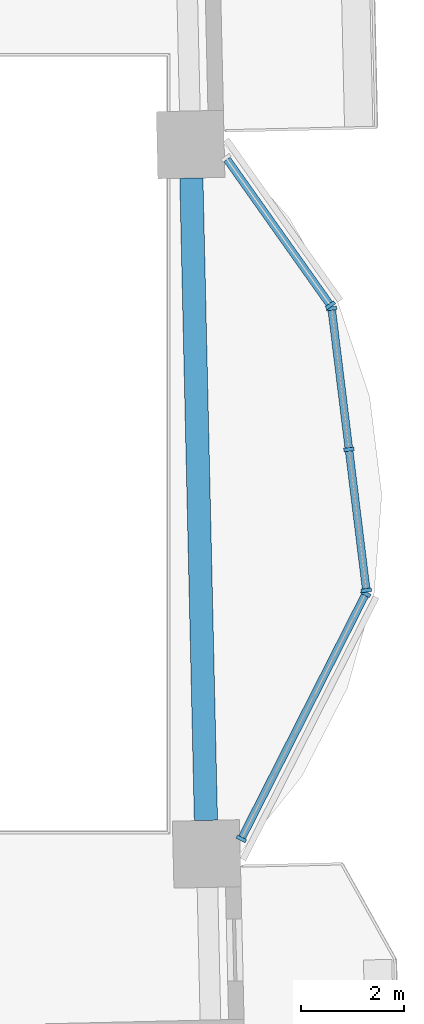
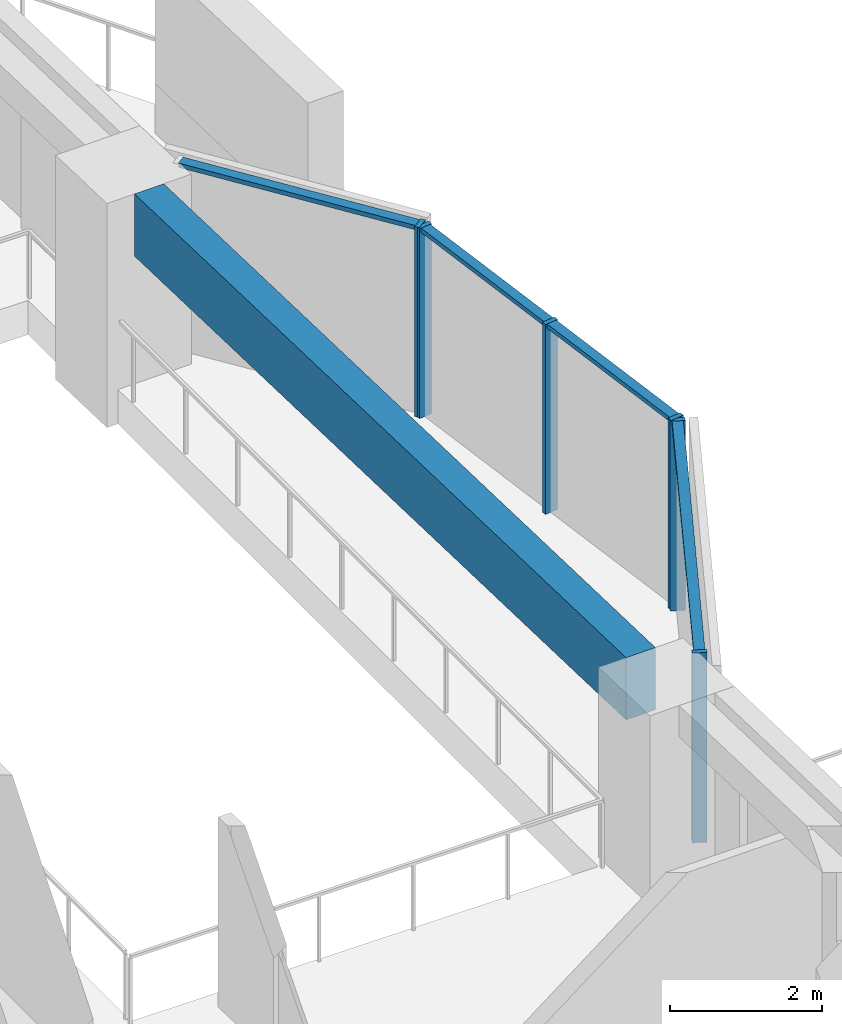
# One storey, part 2 of 16: 10 members, 1 beam, 3 elements without a shape of their own.
"""IFC4 building model written with IfcOpenShell, lengths in metres."""

from ifc_helpers import new_model, si_unit, direction, frame, origin, origin_2d, place, context, subcontext, project, spatial, rectangle, extrude, material, material_profile, profile_set, type_object, element, aggregate, save


model = new_model("IFC4")

# Units and contexts
model_context = context("Model", 3, precision=1e-05, world=origin(), true_north=direction((0.0, 1.0)))
body_context = subcontext(model_context, "Body", "Model", "MODEL_VIEW")
ifc_project = project(units=[si_unit("LENGTHUNIT", "METRE"), si_unit("AREAUNIT", "SQUARE_METRE"), si_unit("VOLUMEUNIT", "CUBIC_METRE"), si_unit("PLANEANGLEUNIT", "RADIAN"), si_unit("MASSUNIT", "GRAM", prefix="KILO")], contexts=[model_context])

# Site, building, storey
site_placement = place(None, origin())
site = spatial("IfcSite", under=ifc_project, at=site_placement, CompositionType="ELEMENT")
building_placement = place(site_placement, origin())
building = spatial("IfcBuilding", under=site, at=building_placement, Name="Mangrove Gate Tower", CompositionType="ELEMENT")
storey_placement = place(building_placement, frame((0.0, 0.0, 130.10009765625)))
storey = spatial("IfcBuildingStorey", under=building, at=storey_placement, Name="L32", CompositionType="ELEMENT", Elevation=130.10009765625)

# Curtain wall, members
ifc_material_1 = material(Name="Aluminium and glass curtain wall", Category="aluminium")
curtain_wall_type = type_object("IfcCurtainWallType", Name="Atrium garden-court glazing wall", PredefinedType="NOTDEFINED", material=ifc_material_1)
curtain_wall_1_placement = place(storey_placement, origin())
curtain_wall_1 = element("IfcCurtainWall", 1, at=curtain_wall_1_placement, inside=storey, type_object=curtain_wall_type, Name="Atrium garden-court glazing E1f1", PredefinedType="NOTDEFINED")
ifc_material_2 = material(Name="Aluminium alloy 6063-T6", Category="aluminium")
ifc_material_profile_1 = material_profile(ifc_material_2, rectangle(XDim=0.070068359375, YDim=0.199951171875, at=origin_2d()))
ifc_profile_set_1 = profile_set([ifc_material_profile_1], Name="Aluminium alloy 6063-T6")
member_type_1 = type_object("IfcMemberType", Name="Atrium garden-court glazing mullion 70x200", PredefinedType="MULLION", material=ifc_profile_set_1)
member_1_placement = place(storey_placement, frame((24.441162109375, -7.660400390625, 0.0), z_axis=(0.0, 0.0, 1.0), x_axis=(0.452614630938, 0.891706227331, 0.0)))
member_1 = element("IfcMember", 2, at=member_1_placement, type_object=member_type_1, Name="CWA mullion 1", PredefinedType="MULLION", context=body_context, shape_type="SweptSolid", body=[
    extrude(rectangle(XDim=0.070068359375, YDim=0.199951171875, at=origin_2d()), origin(), (0.0, 0.0, 1.0), 3.0498046875),
])
member_2_placement = place(storey_placement, frame((26.85302734375, -2.908935546875, 0.0), z_axis=(0.0, 0.0, 1.0), x_axis=(0.452614630938, 0.891706227331, 0.0)))
member_2 = element("IfcMember", 3, at=member_2_placement, type_object=member_type_1, Name="CWA mullion 2", PredefinedType="MULLION", context=body_context, shape_type="SweptSolid", body=[
    extrude(rectangle(XDim=0.070068359375, YDim=0.199951171875, at=origin_2d()), origin(), (0.0, 0.0, 1.0), 3.0498046875),
])

curtain_wall_2_placement = place(storey_placement, origin())
curtain_wall_2 = element("IfcCurtainWall", 4, at=curtain_wall_2_placement, inside=storey, type_object=curtain_wall_type, Name="Atrium garden-court glazing E1f2", PredefinedType="NOTDEFINED")
member_3_placement = place(storey_placement, frame((26.864501953125, -2.843017578125, 0.0), z_axis=(0.0, 0.0, 1.0), x_axis=(-0.122172285885, 0.992508908051, 0.0)))
member_3 = element("IfcMember", 5, at=member_3_placement, type_object=member_type_1, Name="CWA mullion 1", PredefinedType="MULLION", context=body_context, shape_type="SweptSolid", body=[
    extrude(rectangle(XDim=0.070068359375, YDim=0.199951171875, at=origin_2d()), origin(), (0.0, 0.0, 1.0), 3.0498046875),
])
member_4_placement = place(storey_placement, frame((26.5283203125, -0.112060546875, 0.0), z_axis=(0.0, 0.0, 1.0), x_axis=(-0.122172285885, 0.992508908051, 0.0)))
member_4 = element("IfcMember", 6, at=member_4_placement, type_object=member_type_1, Name="CWA mullion 2", PredefinedType="MULLION", context=body_context, shape_type="SweptSolid", body=[
    extrude(rectangle(XDim=0.070068359375, YDim=0.199951171875, at=origin_2d()), origin(), (0.0, 0.0, 1.0), 3.0498046875),
])
member_5_placement = place(storey_placement, frame((26.192138671875, 2.619140625, 0.0), z_axis=(0.0, 0.0, 1.0), x_axis=(-0.122172285885, 0.992508908051, 0.0)))
member_5 = element("IfcMember", 7, at=member_5_placement, type_object=member_type_1, Name="CWA mullion 3", PredefinedType="MULLION", context=body_context, shape_type="SweptSolid", body=[
    extrude(rectangle(XDim=0.070068359375, YDim=0.199951171875, at=origin_2d()), origin(), (0.0, 0.0, 1.0), 3.0498046875),
])

# Curtain wall, member
curtain_wall_3_placement = place(storey_placement, origin())
curtain_wall_3 = element("IfcCurtainWall", 8, at=curtain_wall_3_placement, inside=storey, type_object=curtain_wall_type, Name="Atrium garden-court glazing E1f3", PredefinedType="NOTDEFINED")
member_6_placement = place(storey_placement, frame((26.167724609375, 2.682373046875, 0.0), z_axis=(0.0, 0.0, 1.0), x_axis=(-0.578132252952, 0.815943072828, 0.0)))
member_6 = element("IfcMember", 9, at=member_6_placement, type_object=member_type_1, Name="CWA mullion 1", PredefinedType="MULLION", context=body_context, shape_type="SweptSolid", body=[
    extrude(rectangle(XDim=0.070068359375, YDim=0.199951171875, at=origin_2d()), origin(), (0.0, 0.0, 1.0), 3.0498046875),
])

# Member
ifc_material_3 = material(Name="Aluminium alloy 6063-T6", Category="aluminium")
ifc_material_profile_2 = material_profile(ifc_material_3, rectangle(XDim=0.070068359375, YDim=0.14990234375, at=origin_2d()))
ifc_profile_set_2 = profile_set([ifc_material_profile_2], Name="Aluminium alloy 6063-T6")
member_type_2 = type_object("IfcMemberType", Name="Atrium garden-court glazing transom 70x150", PredefinedType="USERDEFINED", material=ifc_profile_set_2)
member_7_placement = place(storey_placement, frame((24.45703125, -7.629150390625, 3.014892578125), z_axis=(0.452628185689, 0.891699347045, 0.0), x_axis=(0.0, 0.0, 1.0)))
member_7 = element("IfcMember", 10, at=member_7_placement, type_object=member_type_2, Name="CWA transom 1.2", ObjectType="TRANSOM", PredefinedType="USERDEFINED", context=body_context, shape_type="SweptSolid", body=[
    extrude(rectangle(XDim=0.070068359375, YDim=0.14990234375, at=origin_2d()), origin(), (0.0, 0.0, 1.0), 5.258544921875),
])

aggregate(curtain_wall_1, [member_1, member_2, member_7])

member_8_placement = place(storey_placement, frame((26.8603515625, -2.808349609375, 3.014892578125), z_axis=(-0.122174517154, 0.992508633392, 0.0), x_axis=(0.0, 0.0, 1.0)))
member_8 = element("IfcMember", 11, at=member_8_placement, type_object=member_type_2, Name="CWA transom 1.2", ObjectType="TRANSOM", PredefinedType="USERDEFINED", context=body_context, shape_type="SweptSolid", body=[
    extrude(rectangle(XDim=0.070068359375, YDim=0.14990234375, at=origin_2d()), origin(), (0.0, 0.0, 1.0), 2.681640625),
])

member_9_placement = place(storey_placement, frame((26.524169921875, -0.0771484375, 3.014892578125), z_axis=(-0.122174517154, 0.992508633392, 0.0), x_axis=(0.0, 0.0, 1.0)))
member_9 = element("IfcMember", 12, at=member_9_placement, type_object=member_type_2, Name="CWA transom 2.2", ObjectType="TRANSOM", PredefinedType="USERDEFINED", context=body_context, shape_type="SweptSolid", body=[
    extrude(rectangle(XDim=0.070068359375, YDim=0.14990234375, at=origin_2d()), origin(), (0.0, 0.0, 1.0), 2.681640625),
])

aggregate(curtain_wall_2, [member_3, member_4, member_5, member_8, member_9])

member_10_placement = place(storey_placement, frame((26.1474609375, 2.7109375, 3.014892578125), z_axis=(-0.578102277646, 0.81596431085, 0.0), x_axis=(0.0, 0.0, 1.0)))
member_10 = element("IfcMember", 13, at=member_10_placement, type_object=member_type_2, Name="CWA transom 1.2", ObjectType="TRANSOM", PredefinedType="USERDEFINED", context=body_context, shape_type="SweptSolid", body=[
    extrude(rectangle(XDim=0.070068359375, YDim=0.14990234375, at=origin_2d()), origin(), (0.0, 0.0, 1.0), 3.42919921875),
])

aggregate(curtain_wall_3, [member_6, member_10])

# Beam
ifc_material_4 = material(Name="Concrete C50/60", Category="concrete")
ifc_material_profile_3 = material_profile(ifc_material_4, rectangle(XDim=0.449951171875, YDim=1.0, at=origin_2d()))
ifc_profile_set_3 = profile_set([ifc_material_profile_3], Name="Concrete C50/60")
beam_type = type_object("IfcBeamType", Name="Edge beam RC 450x1000 C50/60", PredefinedType="BEAM", material=ifc_profile_set_3)
beam_placement = place(storey_placement, frame((23.75634765625, -7.302001953125, 2.5498046875), z_axis=(-0.02268532922, 0.999742654806, 0.0), x_axis=(-0.999742654806, -0.02268532922, 0.0)))
element("IfcBeam", 14, at=beam_placement, inside=storey, type_object=beam_type, Name="Edge beam L32 14", PredefinedType="BEAM", context=body_context, shape_type="SweptSolid", body=[
    extrude(rectangle(XDim=0.449951171875, YDim=1.0, at=origin_2d()), origin(), (0.0, 0.0, 1.0), 12.45166015625),
])

save(model, "model.ifc")
